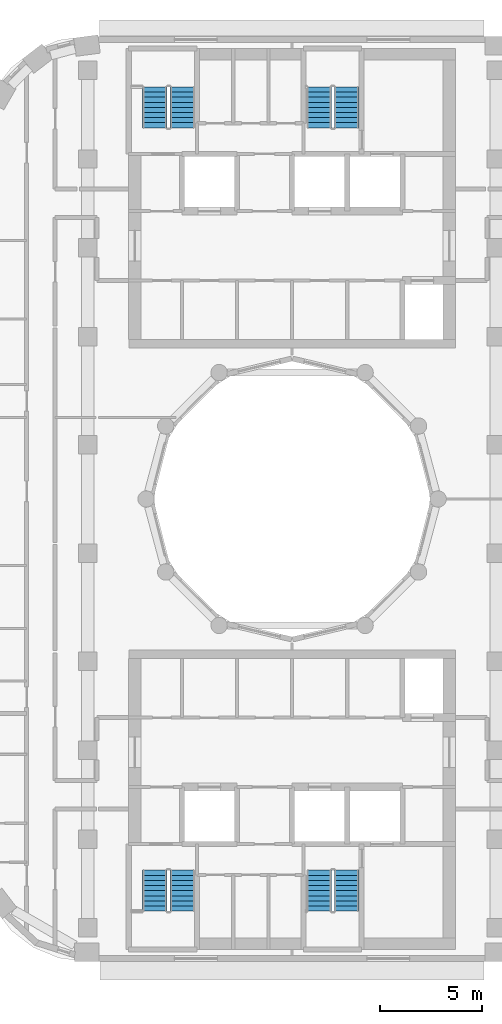
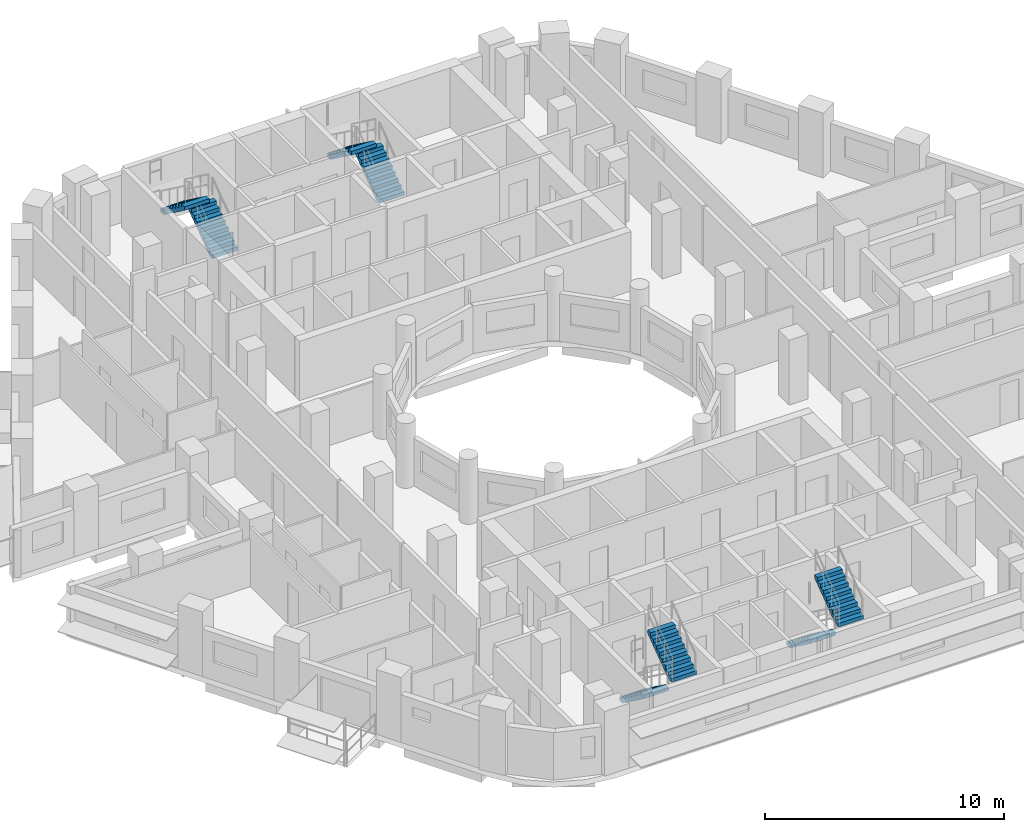
# One storey, part 10 of 17: 8 stair flights, 4 elements without a shape of their own.
"""IFC4 building model written with IfcOpenShell, lengths in metres."""

import ifcopenshell
import ifcopenshell.guid

model = None  # the IFC model being written
_history = None  # IfcOwnerHistory: only IFC2X3 demands one
_inside = {}  # id of a spatial element -> (the spatial element, [elements in it])
_under = {}  # id of a project, library or spatial element -> (it, [spatial elements below it])
_declared = {}  # id of a project -> (the project, [libraries it declares])
_typed = {}  # id of a type object -> (the type object, [elements of that type])
_made_of = {}  # id of a material, layer set ... -> (it, [elements and type objects made of it])


def new_model(schema):
    """Start an empty IFC model of exactly this schema.

    Asked for "IFC4X3", IfcOpenShell would pick the latest addendum, in which some entities
    have other attributes; the version numbers below select the first issue.
    IFC2X3 requires an IfcOwnerHistory on every rooted entity: one is made here for all.
    """
    global model, _history
    if schema == "IFC4X3":
        model = ifcopenshell.file(schema_version=(4, 3, 0, 0))
    else:
        model = ifcopenshell.file(schema=schema)
    _inside.clear()
    _under.clear()
    _declared.clear()
    _typed.clear()
    _made_of.clear()
    _history = None
    if model.schema == "IFC2X3":
        org = make("IfcOrganization", Name="unknown")
        user = make(
            "IfcPersonAndOrganization",
            ThePerson=make("IfcPerson", FamilyName="unknown"),
            TheOrganization=org,
        )
        app = make(
            "IfcApplication",
            ApplicationDeveloper=org,
            Version="unknown",
            ApplicationFullName="unknown",
            ApplicationIdentifier="unknown",
        )
        _history = make(
            "IfcOwnerHistory",
            OwningUser=user,
            OwningApplication=app,
            ChangeAction="ADDED",
            CreationDate=0,
        )
    return model


def make(cls, **values):
    """One entity of the class cls with the attributes given. An attribute that is None is left unset."""
    return model.create_entity(
        cls, **{name: value for name, value in values.items() if value is not None}
    )


def rooted(cls, **values):
    """An entity with a GlobalId (a new one), such as an element, a storey or a relation."""
    return make(cls, GlobalId=ifcopenshell.guid.new(), OwnerHistory=_history, **values)


def si_unit(unit_type, name, prefix=None):
    """IfcSIUnit, for example si_unit("LENGTHUNIT", "METRE", prefix="MILLI")."""
    return make("IfcSIUnit", UnitType=unit_type, Prefix=prefix, Name=name)


def assignment(units):
    """IfcUnitAssignment: the units of a project."""
    return None if units is None else make("IfcUnitAssignment", Units=units)


def point(xyz):
    """IfcCartesianPoint."""
    return None if xyz is None else make("IfcCartesianPoint", Coordinates=xyz)


def direction(xyz):
    """IfcDirection."""
    return None if xyz is None else make("IfcDirection", DirectionRatios=xyz)


def frame(location, z_axis=None, x_axis=None):
    """IfcAxis2Placement3D, a coordinate frame: its origin and axes. An axis left out is left unset."""
    return make(
        "IfcAxis2Placement3D",
        Location=point(location),
        Axis=direction(z_axis),
        RefDirection=direction(x_axis),
    )


def origin():
    """The frame at (0, 0, 0) with its axes left unset."""
    return frame((0.0, 0.0, 0.0))


def place(relative_to, where):
    """IfcLocalPlacement: puts the frame where relative to a parent placement (None: the world)."""
    return make(
        "IfcLocalPlacement", PlacementRelTo=relative_to, RelativePlacement=where
    )


def context(
    kind, dimensions, precision=None, world=None, true_north=None, identifier=None
):
    """IfcGeometricRepresentationContext, for example the 3D "Model" context."""
    return make(
        "IfcGeometricRepresentationContext",
        ContextIdentifier=identifier,
        ContextType=kind,
        CoordinateSpaceDimension=dimensions,
        Precision=precision,
        WorldCoordinateSystem=world,
        TrueNorth=true_north,
    )


def subcontext(parent, identifier, kind, view, scale=None):
    """IfcGeometricRepresentationSubContext, for example "Body" below "Model"."""
    return make(
        "IfcGeometricRepresentationSubContext",
        ContextIdentifier=identifier,
        ContextType=kind,
        ParentContext=parent,
        TargetScale=scale,
        TargetView=view,
    )


def project(units=None, contexts=None):
    """IfcProject with its units and contexts."""
    return rooted(
        "IfcProject",
        Name="project",
        RepresentationContexts=contexts,
        UnitsInContext=assignment(units),
    )


def spatial(cls, under=None, at=None, **own):
    """A site, building, storey or space (cls), placed at a placement, below another one or the project."""
    s = rooted(cls, ObjectPlacement=at, **own)
    if under is not None:
        _under.setdefault(under.id(), (under, []))[1].append(s)
    return s


def polyline(points):
    """IfcPolyline through the points."""
    return make("IfcPolyline", Points=[point(p) for p in points])


def outline(outer, holes=None, kind="AREA"):
    """IfcArbitraryClosedProfileDef: a profile drawn as a closed curve; with holes, ...WithVoids."""
    if holes is None:
        return make("IfcArbitraryClosedProfileDef", ProfileType=kind, OuterCurve=outer)
    return make(
        "IfcArbitraryProfileDefWithVoids",
        ProfileType=kind,
        OuterCurve=outer,
        InnerCurves=holes,
    )


def extrude(swept, where, along, depth):
    """IfcExtrudedAreaSolid: the profile swept, set in the frame where, extruded along a direction by depth."""
    return make(
        "IfcExtrudedAreaSolid",
        SweptArea=swept,
        Position=where,
        ExtrudedDirection=direction(along),
        Depth=depth,
    )


def shape(context_of_items, identifier, shape_type, items):
    """IfcShapeRepresentation: the items that make up one representation, for example the "Body"."""
    return make(
        "IfcShapeRepresentation",
        ContextOfItems=context_of_items,
        RepresentationIdentifier=identifier,
        RepresentationType=shape_type,
        Items=items,
    )


def material(Name=None, Category=None):
    """IfcMaterial."""
    return make("IfcMaterial", Name=Name, Category=Category)


def made_of(thing, what):
    """Note that an element or type object is made of a material, layer set ...; save() writes the relation."""
    if what is not None:
        _made_of.setdefault(what.id(), (what, []))[1].append(thing)
    return thing


def type_object(cls, material=None, **own):
    """A type object (cls), such as IfcWallType, which elements share."""
    return made_of(rooted(cls, **own), material)


def element(
    cls,
    number,
    at=None,
    inside=None,
    cuts=None,
    type_object=None,
    material=None,
    context=None,
    identifier="Body",
    shape_type=None,
    held_by="IfcProductDefinitionShape",
    body=None,
    shapes=None,
    **own,
):
    """One element of the class cls, such as IfcWall. Its Tag is "e" and its number.

    at: its placement. inside: the storey or other place that contains it. cuts: it is an
    opening in that element (IfcRelVoidsElement). A single representation is given by context,
    identifier, shape_type and body (its items); several are given by shapes. held_by: the class
    of the entity that holds the representations. save() writes the other relations.
    """
    e = rooted(cls, Tag="e%d" % number, ObjectPlacement=at, **own)
    if body is not None:
        shapes = [shape(context, identifier, shape_type, body)]
    if shapes is not None:
        e.Representation = make(held_by, Representations=shapes)
    if inside is not None:
        _inside.setdefault(inside.id(), (inside, []))[1].append(e)
    if cuts is not None:
        rooted(
            "IfcRelVoidsElement", RelatingBuildingElement=cuts, RelatedOpeningElement=e
        )
    if type_object is not None:
        _typed.setdefault(type_object.id(), (type_object, []))[1].append(e)
    return made_of(e, material)


def aggregate(whole, parts):
    """IfcRelAggregates: a whole, such as a stair, and the parts it consists of."""
    return rooted("IfcRelAggregates", RelatingObject=whole, RelatedObjects=parts)


def save(model, path):
    """Write the relations noted so far, then the file.

    IfcRelAggregates (storeys below a building ...), IfcRelContainedInSpatialStructure (elements
    in a storey), IfcRelDefinesByType, IfcRelAssociatesMaterial and IfcRelDeclares: one each for
    every whole, place, type object, material and project.
    """
    for whole, parts in _under.values():
        aggregate(whole, parts)
    for where, things in _inside.values():
        rooted(
            "IfcRelContainedInSpatialStructure",
            RelatedElements=things,
            RelatingStructure=where,
        )
    for kind, things in _typed.values():
        rooted("IfcRelDefinesByType", RelatedObjects=things, RelatingType=kind)
    for what, things in _made_of.values():
        rooted("IfcRelAssociatesMaterial", RelatedObjects=things, RelatingMaterial=what)
    for by, libraries in _declared.values():
        rooted("IfcRelDeclares", RelatingContext=by, RelatedDefinitions=libraries)
    model.write(path)


model = new_model("IFC4")

# Units and contexts
model_context = context("Model", 3, precision=1e-05, world=origin(), true_north=direction((0.0, 1.0)))
body_context = subcontext(model_context, "Body", "Model", "MODEL_VIEW")
ifc_project = project(units=[si_unit("LENGTHUNIT", "METRE"), si_unit("AREAUNIT", "SQUARE_METRE"), si_unit("VOLUMEUNIT", "CUBIC_METRE"), si_unit("PLANEANGLEUNIT", "RADIAN"), si_unit("MASSUNIT", "GRAM", prefix="KILO")], contexts=[model_context])

# Site, building, storey
site_placement = place(None, origin())
site = spatial("IfcSite", under=ifc_project, at=site_placement, CompositionType="ELEMENT")
building_placement = place(site_placement, origin())
building = spatial("IfcBuilding", under=site, at=building_placement, Name="Nakaniwa Court", CompositionType="ELEMENT")
storey_placement = place(building_placement, frame((0.0, 0.0, 206.39990234375)))
storey = spatial("IfcBuildingStorey", under=building, at=storey_placement, Name="L54", CompositionType="ELEMENT", Elevation=206.39990234375)

# Stair, stair flights
ifc_material = material(Name="Concrete C80/100", Category="concrete")
stair_type = type_object("IfcStairType", Name="Dog leg stair 1200 wide 18 risers", PredefinedType="HALF_TURN_STAIR", material=ifc_material)
stair_1_placement = place(storey_placement, origin())
stair_1 = element("IfcStair", 1, at=stair_1_placement, inside=storey, type_object=stair_type, Name="L54 Stair ST1", PredefinedType="HALF_TURN_STAIR")
stair_flight_type = type_object("IfcStairFlightType", Name="Stair flight 1200 wide 9 risers", PredefinedType="STRAIGHT", material=ifc_material)
stair_flight_1_placement = place(storey_placement, frame((74.625, 98.175048828125, 0.0), z_axis=(0.0, 0.0, 1.0), x_axis=(0.0, 1.0, 0.0)))
stair_flight_1 = element("IfcStairFlight", 2, at=stair_flight_1_placement, type_object=stair_flight_type, Name="ST1 flight 1", NumberOfRisers=9, NumberOfTreads=8, PredefinedType="STRAIGHT", RiserHeight=0.183333333, TreadLength=0.25, context=body_context, shape_type="SweptSolid", body=[
    extrude(outline(polyline([(0.0, 0.0), (0.0, 0.026123046875), (0.0, 0.052490234375), (0.0, 0.07861328125), (0.0, 0.104736328125), (0.0, 0.130859375), (0.0, 0.1572265625), (0.0, 0.183349609375), (0.25, 0.183349609375), (0.25, 0.36669921875), (0.5, 0.36669921875), (0.5, 0.550048828125), (0.75, 0.550048828125), (0.75, 0.7333984375), (1.0, 0.7333984375), (1.0, 0.916748046875), (1.25, 0.916748046875), (1.25, 1.10009765625), (1.5, 1.10009765625), (1.5, 1.283447265625), (1.75, 1.283447265625), (1.75, 1.466552734375), (2.0, 1.466552734375), (2.0, 1.64990234375), (2.0, 1.59716796875), (2.0, 1.54443359375), (2.0, 1.49169921875), (2.0, 1.43896484375), (2.0, 1.38623046875), (2.0, 1.33349609375), (2.0, 1.28076171875), (0.25341796875, 0.0), (0.0, 0.0)])), frame((0.0, 0.60009765625, 0.0), z_axis=(0.0, -1.0, 0.0), x_axis=(1.0, 0.0, 0.0)), (0.0, 0.0, 1.0), 1.199951171875),
])
stair_flight_2_placement = place(storey_placement, frame((73.27490234375, 100.175048828125, 1.650146484375), z_axis=(0.0, 0.0, 1.0), x_axis=(0.0, -1.0, 0.0)))
stair_flight_2 = element("IfcStairFlight", 3, at=stair_flight_2_placement, type_object=stair_flight_type, Name="ST1 flight 2", NumberOfRisers=9, NumberOfTreads=8, PredefinedType="STRAIGHT", RiserHeight=0.183333333, TreadLength=0.25, context=body_context, shape_type="SweptSolid", body=[
    extrude(outline(polyline([(0.0, 0.0), (0.0, 0.026123046875), (0.0, 0.052490234375), (0.0, 0.07861328125), (0.0, 0.104736328125), (0.0, 0.130859375), (0.0, 0.1572265625), (0.0, 0.183349609375), (0.25, 0.183349609375), (0.25, 0.36669921875), (0.5, 0.36669921875), (0.5, 0.550048828125), (0.75, 0.550048828125), (0.75, 0.7333984375), (1.0, 0.7333984375), (1.0, 0.916748046875), (1.25, 0.916748046875), (1.25, 1.10009765625), (1.5, 1.10009765625), (1.5, 1.283447265625), (1.75, 1.283447265625), (1.75, 1.466552734375), (2.0, 1.466552734375), (2.0, 1.64990234375), (2.0, 1.59716796875), (2.0, 1.54443359375), (2.0, 1.49169921875), (2.0, 1.43896484375), (2.0, 1.38623046875), (2.0, 1.33349609375), (2.0, 1.28076171875), (0.25341796875, 0.0), (0.0, 0.0)])), frame((0.0, 0.60009765625, 0.0), z_axis=(0.0, -1.0, 0.0), x_axis=(1.0, 0.0, 0.0)), (0.0, 0.0, 1.0), 1.199951171875),
])
aggregate(stair_1, [stair_flight_1, stair_flight_2])

stair_2_placement = place(storey_placement, origin())
stair_2 = element("IfcStair", 4, at=stair_2_placement, inside=storey, type_object=stair_type, Name="L54 Stair ST2", PredefinedType="HALF_TURN_STAIR")
stair_flight_3_placement = place(storey_placement, frame((82.675048828125, 98.175048828125, 0.0), z_axis=(0.0, 0.0, 1.0), x_axis=(0.0, 1.0, 0.0)))
stair_flight_3 = element("IfcStairFlight", 5, at=stair_flight_3_placement, type_object=stair_flight_type, Name="ST2 flight 1", NumberOfRisers=9, NumberOfTreads=8, PredefinedType="STRAIGHT", RiserHeight=0.183333333, TreadLength=0.25, context=body_context, shape_type="SweptSolid", body=[
    extrude(outline(polyline([(0.0, 0.0), (0.0, 0.026123046875), (0.0, 0.052490234375), (0.0, 0.07861328125), (0.0, 0.104736328125), (0.0, 0.130859375), (0.0, 0.1572265625), (0.0, 0.183349609375), (0.25, 0.183349609375), (0.25, 0.36669921875), (0.5, 0.36669921875), (0.5, 0.550048828125), (0.75, 0.550048828125), (0.75, 0.7333984375), (1.0, 0.7333984375), (1.0, 0.916748046875), (1.25, 0.916748046875), (1.25, 1.10009765625), (1.5, 1.10009765625), (1.5, 1.283447265625), (1.75, 1.283447265625), (1.75, 1.466552734375), (2.0, 1.466552734375), (2.0, 1.64990234375), (2.0, 1.59716796875), (2.0, 1.54443359375), (2.0, 1.49169921875), (2.0, 1.43896484375), (2.0, 1.38623046875), (2.0, 1.33349609375), (2.0, 1.28076171875), (0.25341796875, 0.0), (0.0, 0.0)])), frame((0.0, 0.60009765625, 0.0), z_axis=(0.0, -1.0, 0.0), x_axis=(1.0, 0.0, 0.0)), (0.0, 0.0, 1.0), 1.199951171875),
])
stair_flight_4_placement = place(storey_placement, frame((81.324951171875, 100.175048828125, 1.650146484375), z_axis=(0.0, 0.0, 1.0), x_axis=(0.0, -1.0, 0.0)))
stair_flight_4 = element("IfcStairFlight", 6, at=stair_flight_4_placement, type_object=stair_flight_type, Name="ST2 flight 2", NumberOfRisers=9, NumberOfTreads=8, PredefinedType="STRAIGHT", RiserHeight=0.183333333, TreadLength=0.25, context=body_context, shape_type="SweptSolid", body=[
    extrude(outline(polyline([(0.0, 0.0), (0.0, 0.026123046875), (0.0, 0.052490234375), (0.0, 0.07861328125), (0.0, 0.104736328125), (0.0, 0.130859375), (0.0, 0.1572265625), (0.0, 0.183349609375), (0.25, 0.183349609375), (0.25, 0.36669921875), (0.5, 0.36669921875), (0.5, 0.550048828125), (0.75, 0.550048828125), (0.75, 0.7333984375), (1.0, 0.7333984375), (1.0, 0.916748046875), (1.25, 0.916748046875), (1.25, 1.10009765625), (1.5, 1.10009765625), (1.5, 1.283447265625), (1.75, 1.283447265625), (1.75, 1.466552734375), (2.0, 1.466552734375), (2.0, 1.64990234375), (2.0, 1.59716796875), (2.0, 1.54443359375), (2.0, 1.49169921875), (2.0, 1.43896484375), (2.0, 1.38623046875), (2.0, 1.33349609375), (2.0, 1.28076171875), (0.25341796875, 0.0), (0.0, 0.0)])), frame((0.0, 0.60009765625, 0.0), z_axis=(0.0, -1.0, 0.0), x_axis=(1.0, 0.0, 0.0)), (0.0, 0.0, 1.0), 1.199951171875),
])
aggregate(stair_2, [stair_flight_3, stair_flight_4])

stair_3_placement = place(storey_placement, origin())
stair_3 = element("IfcStair", 7, at=stair_3_placement, inside=storey, type_object=stair_type, Name="L54 Stair ST3", PredefinedType="HALF_TURN_STAIR")
stair_flight_5_placement = place(storey_placement, frame((73.27490234375, 61.824951171875, 0.0), z_axis=(0.0, 0.0, 1.0), x_axis=(0.0, -1.0, 0.0)))
stair_flight_5 = element("IfcStairFlight", 8, at=stair_flight_5_placement, type_object=stair_flight_type, Name="ST3 flight 1", NumberOfRisers=9, NumberOfTreads=8, PredefinedType="STRAIGHT", RiserHeight=0.183333333, TreadLength=0.25, context=body_context, shape_type="SweptSolid", body=[
    extrude(outline(polyline([(0.0, 0.0), (0.0, 0.026123046875), (0.0, 0.052490234375), (0.0, 0.07861328125), (0.0, 0.104736328125), (0.0, 0.130859375), (0.0, 0.1572265625), (0.0, 0.183349609375), (0.25, 0.183349609375), (0.25, 0.36669921875), (0.5, 0.36669921875), (0.5, 0.550048828125), (0.75, 0.550048828125), (0.75, 0.7333984375), (1.0, 0.7333984375), (1.0, 0.916748046875), (1.25, 0.916748046875), (1.25, 1.10009765625), (1.5, 1.10009765625), (1.5, 1.283447265625), (1.75, 1.283447265625), (1.75, 1.466552734375), (2.0, 1.466552734375), (2.0, 1.64990234375), (2.0, 1.59716796875), (2.0, 1.54443359375), (2.0, 1.49169921875), (2.0, 1.43896484375), (2.0, 1.38623046875), (2.0, 1.33349609375), (2.0, 1.28076171875), (0.25341796875, 0.0), (0.0, 0.0)])), frame((0.0, 0.60009765625, 0.0), z_axis=(0.0, -1.0, 0.0), x_axis=(1.0, 0.0, 0.0)), (0.0, 0.0, 1.0), 1.199951171875),
])
stair_flight_6_placement = place(storey_placement, frame((74.625, 59.824951171875, 1.650146484375), z_axis=(0.0, 0.0, 1.0), x_axis=(0.0, 1.0, 0.0)))
stair_flight_6 = element("IfcStairFlight", 9, at=stair_flight_6_placement, type_object=stair_flight_type, Name="ST3 flight 2", NumberOfRisers=9, NumberOfTreads=8, PredefinedType="STRAIGHT", RiserHeight=0.183333333, TreadLength=0.25, context=body_context, shape_type="SweptSolid", body=[
    extrude(outline(polyline([(0.0, 0.0), (0.0, 0.026123046875), (0.0, 0.052490234375), (0.0, 0.07861328125), (0.0, 0.104736328125), (0.0, 0.130859375), (0.0, 0.1572265625), (0.0, 0.183349609375), (0.25, 0.183349609375), (0.25, 0.36669921875), (0.5, 0.36669921875), (0.5, 0.550048828125), (0.75, 0.550048828125), (0.75, 0.7333984375), (1.0, 0.7333984375), (1.0, 0.916748046875), (1.25, 0.916748046875), (1.25, 1.10009765625), (1.5, 1.10009765625), (1.5, 1.283447265625), (1.75, 1.283447265625), (1.75, 1.466552734375), (2.0, 1.466552734375), (2.0, 1.64990234375), (2.0, 1.59716796875), (2.0, 1.54443359375), (2.0, 1.49169921875), (2.0, 1.43896484375), (2.0, 1.38623046875), (2.0, 1.33349609375), (2.0, 1.28076171875), (0.25341796875, 0.0), (0.0, 0.0)])), frame((0.0, 0.60009765625, 0.0), z_axis=(0.0, -1.0, 0.0), x_axis=(1.0, 0.0, 0.0)), (0.0, 0.0, 1.0), 1.199951171875),
])
aggregate(stair_3, [stair_flight_5, stair_flight_6])

stair_4_placement = place(storey_placement, origin())
stair_4 = element("IfcStair", 10, at=stair_4_placement, inside=storey, type_object=stair_type, Name="L54 Stair ST4", PredefinedType="HALF_TURN_STAIR")
stair_flight_7_placement = place(storey_placement, frame((81.324951171875, 61.824951171875, 0.0), z_axis=(0.0, 0.0, 1.0), x_axis=(0.0, -1.0, 0.0)))
stair_flight_7 = element("IfcStairFlight", 11, at=stair_flight_7_placement, type_object=stair_flight_type, Name="ST4 flight 1", NumberOfRisers=9, NumberOfTreads=8, PredefinedType="STRAIGHT", RiserHeight=0.183333333, TreadLength=0.25, context=body_context, shape_type="SweptSolid", body=[
    extrude(outline(polyline([(0.0, 0.0), (0.0, 0.026123046875), (0.0, 0.052490234375), (0.0, 0.07861328125), (0.0, 0.104736328125), (0.0, 0.130859375), (0.0, 0.1572265625), (0.0, 0.183349609375), (0.25, 0.183349609375), (0.25, 0.36669921875), (0.5, 0.36669921875), (0.5, 0.550048828125), (0.75, 0.550048828125), (0.75, 0.7333984375), (1.0, 0.7333984375), (1.0, 0.916748046875), (1.25, 0.916748046875), (1.25, 1.10009765625), (1.5, 1.10009765625), (1.5, 1.283447265625), (1.75, 1.283447265625), (1.75, 1.466552734375), (2.0, 1.466552734375), (2.0, 1.64990234375), (2.0, 1.59716796875), (2.0, 1.54443359375), (2.0, 1.49169921875), (2.0, 1.43896484375), (2.0, 1.38623046875), (2.0, 1.33349609375), (2.0, 1.28076171875), (0.25341796875, 0.0), (0.0, 0.0)])), frame((0.0, 0.60009765625, 0.0), z_axis=(0.0, -1.0, 0.0), x_axis=(1.0, 0.0, 0.0)), (0.0, 0.0, 1.0), 1.199951171875),
])
stair_flight_8_placement = place(storey_placement, frame((82.675048828125, 59.824951171875, 1.650146484375), z_axis=(0.0, 0.0, 1.0), x_axis=(0.0, 1.0, 0.0)))
stair_flight_8 = element("IfcStairFlight", 12, at=stair_flight_8_placement, type_object=stair_flight_type, Name="ST4 flight 2", NumberOfRisers=9, NumberOfTreads=8, PredefinedType="STRAIGHT", RiserHeight=0.183333333, TreadLength=0.25, context=body_context, shape_type="SweptSolid", body=[
    extrude(outline(polyline([(0.0, 0.0), (0.0, 0.026123046875), (0.0, 0.052490234375), (0.0, 0.07861328125), (0.0, 0.104736328125), (0.0, 0.130859375), (0.0, 0.1572265625), (0.0, 0.183349609375), (0.25, 0.183349609375), (0.25, 0.36669921875), (0.5, 0.36669921875), (0.5, 0.550048828125), (0.75, 0.550048828125), (0.75, 0.7333984375), (1.0, 0.7333984375), (1.0, 0.916748046875), (1.25, 0.916748046875), (1.25, 1.10009765625), (1.5, 1.10009765625), (1.5, 1.283447265625), (1.75, 1.283447265625), (1.75, 1.466552734375), (2.0, 1.466552734375), (2.0, 1.64990234375), (2.0, 1.59716796875), (2.0, 1.54443359375), (2.0, 1.49169921875), (2.0, 1.43896484375), (2.0, 1.38623046875), (2.0, 1.33349609375), (2.0, 1.28076171875), (0.25341796875, 0.0), (0.0, 0.0)])), frame((0.0, 0.60009765625, 0.0), z_axis=(0.0, -1.0, 0.0), x_axis=(1.0, 0.0, 0.0)), (0.0, 0.0, 1.0), 1.199951171875),
])
aggregate(stair_4, [stair_flight_7, stair_flight_8])

save(model, "model.ifc")
